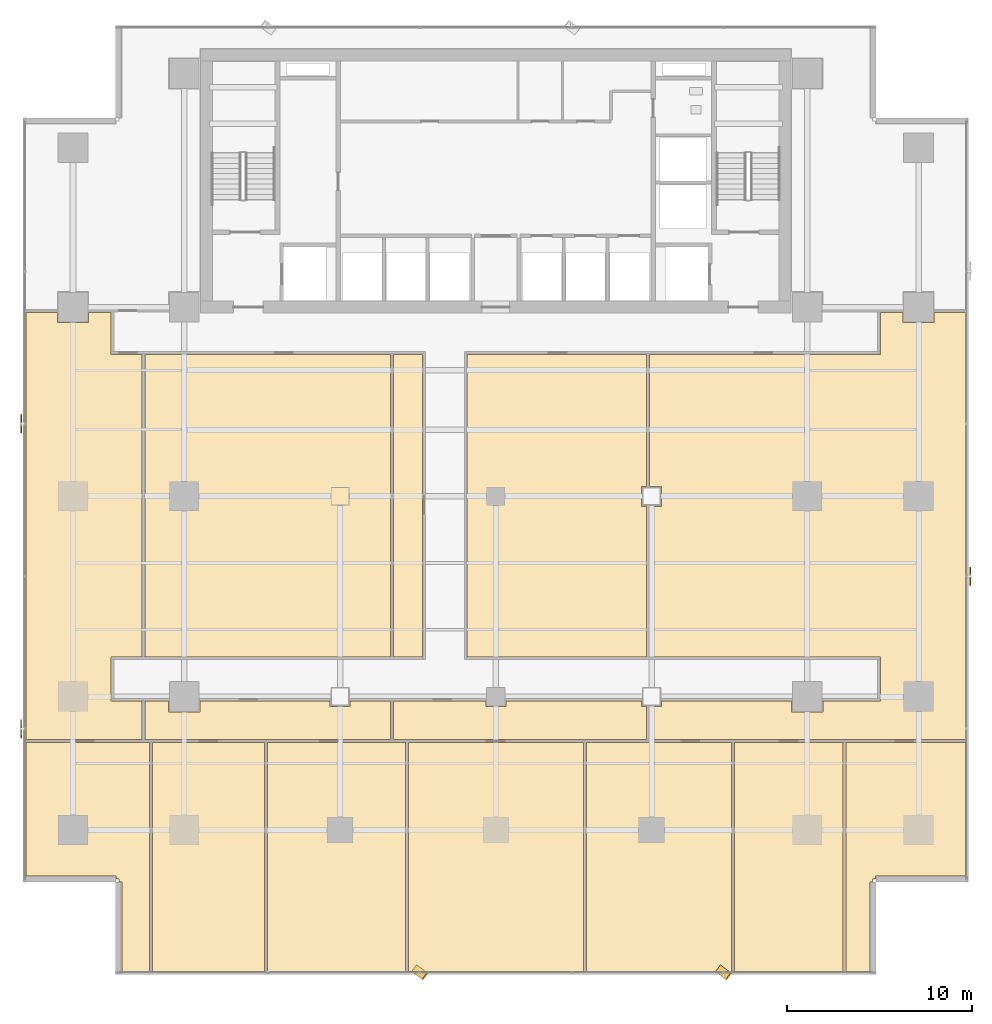
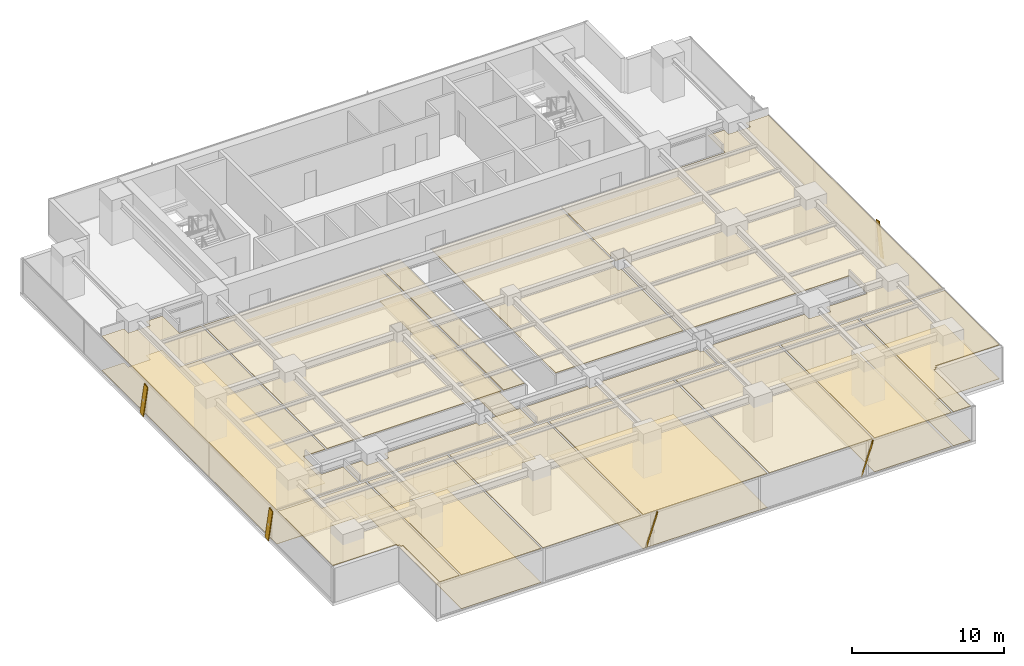
# One storey, part 33 of 37: 21 coverings, 5 shading devices.
"""IFC4 building model written with IfcOpenShell, lengths in metres."""

from ifc_helpers import new_model, si_unit, direction, frame, origin, origin_2d, place, context, subcontext, project, spatial, polyline, rectangle, outline, extrude, source, transform, mapped, material, layer, layer_set, material_profile, profile_set, type_object, element, save


model = new_model("IFC4")

# Units and contexts
model_context = context("Model", 3, precision=1e-05, world=origin(), true_north=direction((0.0, 1.0)))
body_context = subcontext(model_context, "Body", "Model", "MODEL_VIEW")
ifc_project = project(units=[si_unit("LENGTHUNIT", "METRE"), si_unit("AREAUNIT", "SQUARE_METRE"), si_unit("VOLUMEUNIT", "CUBIC_METRE"), si_unit("PLANEANGLEUNIT", "RADIAN"), si_unit("MASSUNIT", "GRAM", prefix="KILO")], contexts=[model_context])

# Site, building, storey
site_placement = place(None, origin())
site = spatial("IfcSite", under=ifc_project, at=site_placement, CompositionType="ELEMENT")
building_placement = place(site_placement, origin())
building = spatial("IfcBuilding", under=site, at=building_placement, Name="Sumidabori Civic Tower", CompositionType="ELEMENT")
storey_placement = place(building_placement, frame((0.0, 0.0, 81.199951171875)))
storey = spatial("IfcBuildingStorey", under=building, at=storey_placement, Name="L20", CompositionType="ELEMENT", Elevation=81.199951171875)

# Coverings
ifc_material_1 = material(Name="Anodised Bronze Baffle Ceiling")
ifc_layer_1 = layer(ifc_material_1, 0.054931640625, Name="Anodised Bronze Baffle Ceiling")
ifc_layer_set_1 = layer_set([ifc_layer_1], Name="Anodised Bronze Baffle Ceiling")
covering_type_1 = type_object("IfcCoveringType", Name="CV-CEIL-AC3", PredefinedType="CEILING", material=ifc_layer_set_1)
covering_1_placement = place(storey_placement, frame((0.0, 0.0, 2.7099609375)))
element("IfcCovering", 1, at=covering_1_placement, inside=storey, type_object=covering_type_1, Name="Room Acoustic Ceiling L20-02", PredefinedType="CEILING", context=body_context, shape_type="SweptSolid", body=[
    extrude(outline(polyline([(-18.919921875, 7.659912109375), (-5.679931640625, 7.659912109375), (-5.679931640625, -8.659912109375), (-18.919921875, -8.659912109375), (-18.919921875, 7.659912109375)])), origin(), (0.0, 0.0, 1.0), 0.05517578125),
])
covering_2_placement = place(storey_placement, frame((0.0, 0.0, 2.7099609375)))
element("IfcCovering", 2, at=covering_2_placement, inside=storey, type_object=covering_type_1, Name="Room Acoustic Ceiling L20-03", PredefinedType="CEILING", context=body_context, shape_type="SweptSolid", body=[
    extrude(outline(polyline([(-5.52001953125, 7.659912109375), (-3.93994140625, 7.659912109375), (-3.93994140625, -8.659912109375), (-5.52001953125, -8.659912109375), (-5.52001953125, 7.659912109375)])), origin(), (0.0, 0.0, 1.0), 0.05517578125),
])
covering_3_placement = place(storey_placement, frame((0.0, 0.0, 2.7099609375)))
element("IfcCovering", 3, at=covering_3_placement, inside=storey, type_object=covering_type_1, Name="Room Acoustic Ceiling L20-04", PredefinedType="CEILING", context=body_context, shape_type="SweptSolid", body=[
    extrude(outline(polyline([(-1.56005859375, -8.659912109375), (-1.56005859375, 7.659912109375), (8.1201171875, 7.659912109375), (8.1201171875, 0.5400390625), (7.860107421875, 0.5400390625), (7.860107421875, -0.5400390625), (8.1201171875, -0.5400390625), (8.1201171875, -8.659912109375), (-1.56005859375, -8.659912109375)])), origin(), (0.0, 0.0, 1.0), 0.05517578125),
])
covering_4_placement = place(storey_placement, frame((0.0, 0.0, 2.7099609375)))
element("IfcCovering", 4, at=covering_4_placement, inside=storey, type_object=covering_type_1, Name="Room Acoustic Ceiling L20-05", PredefinedType="CEILING", context=body_context, shape_type="SweptSolid", body=[
    extrude(outline(polyline([(-25.330078125, -13.1201171875), (-25.330078125, 9.919921875), (-23.639892578125, 9.919921875), (-23.639892578125, 9.360107421875), (-21.9599609375, 9.360107421875), (-21.9599609375, 9.919921875), (-20.739990234375, 9.919921875), (-20.739990234375, 7.659912109375), (-19.080078125, 7.659912109375), (-19.080078125, -8.659912109375), (-20.724609375, -8.659912109375), (-20.739990234375, -8.66748046875), (-20.739990234375, -11.032470703125), (-20.724609375, -11.0400390625), (-19.080078125, -11.0400390625), (-19.080078125, -13.1201171875), (-25.330078125, -13.1201171875)])), origin(), (0.0, 0.0, 1.0), 0.05517578125),
])
covering_5_placement = place(storey_placement, frame((0.0, 0.0, 2.7099609375)))
element("IfcCovering", 5, at=covering_5_placement, inside=storey, type_object=covering_type_1, Name="Room Acoustic Ceiling L20-06", PredefinedType="CEILING", context=body_context, shape_type="SweptSolid", body=[
    extrude(outline(polyline([(8.280029296875, -11.340087890625), (8.93994140625, -11.340087890625), (8.93994140625, -11.0400390625), (15.9599609375, -11.0400390625), (15.9599609375, -11.639892578125), (17.639892578125, -11.639892578125), (17.639892578125, -11.0400390625), (20.724609375, -11.0400390625), (20.739990234375, -11.032470703125), (20.739990234375, -8.66748046875), (20.724609375, -8.659912109375), (8.280029296875, -8.659912109375), (8.280029296875, -0.5400390625), (8.93994140625, -0.5400390625), (8.93994140625, 0.5400390625), (8.280029296875, 0.5400390625), (8.280029296875, 7.659912109375), (20.739990234375, 7.659912109375), (20.739990234375, 9.919921875), (21.9599609375, 9.919921875), (21.9599609375, 9.360107421875), (23.639892578125, 9.360107421875), (23.639892578125, 9.919921875), (25.330078125, 9.919921875), (25.330078125, -13.1201171875), (8.280029296875, -13.1201171875), (8.280029296875, -11.340087890625)])), origin(), (0.0, 0.0, 1.0), 0.05517578125),
])
covering_6_placement = place(storey_placement, frame((0.0, 0.0, 2.7099609375)))
element("IfcCovering", 6, at=covering_6_placement, inside=storey, type_object=covering_type_1, Name="Room Acoustic Ceiling L20-07", PredefinedType="CEILING", context=body_context, shape_type="SweptSolid", body=[
    extrude(outline(polyline([(-17.639892578125, -11.0400390625), (-17.639892578125, -11.639892578125), (-15.9599609375, -11.639892578125), (-15.9599609375, -11.0400390625), (-8.93994140625, -11.0400390625), (-8.93994140625, -11.340087890625), (-7.860107421875, -11.340087890625), (-7.860107421875, -11.0400390625), (-5.679931640625, -11.0400390625), (-5.679931640625, -13.1201171875), (-18.919921875, -13.1201171875), (-18.919921875, -11.0400390625), (-17.639892578125, -11.0400390625)])), origin(), (0.0, 0.0, 1.0), 0.05517578125),
])
covering_7_placement = place(storey_placement, frame((0.0, 0.0, 2.7099609375)))
element("IfcCovering", 7, at=covering_7_placement, inside=storey, type_object=covering_type_1, Name="Room Acoustic Ceiling L20-08", PredefinedType="CEILING", context=body_context, shape_type="SweptSolid", body=[
    extrude(outline(polyline([(-5.52001953125, -11.0400390625), (-0.5400390625, -11.0400390625), (-0.5400390625, -11.340087890625), (0.5400390625, -11.340087890625), (0.5400390625, -11.0400390625), (7.860107421875, -11.0400390625), (7.860107421875, -11.340087890625), (8.1201171875, -11.340087890625), (8.1201171875, -13.1201171875), (-5.52001953125, -13.1201171875), (-5.52001953125, -11.0400390625)])), origin(), (0.0, 0.0, 1.0), 0.05517578125),
])
covering_8_placement = place(storey_placement, frame((0.0, 0.0, 2.7099609375)))
element("IfcCovering", 8, at=covering_8_placement, inside=storey, type_object=covering_type_1, Name="Room Acoustic Ceiling L20-09", PredefinedType="CEILING", context=body_context, shape_type="SweptSolid", body=[
    extrude(outline(polyline([(18.8798828125, -13.280029296875), (25.330078125, -13.280029296875), (25.330078125, -20.471923828125), (20.491943359375, -20.471923828125), (20.491943359375, -20.6298828125), (20.330078125, -20.6298828125), (20.330078125, -20.7919921875), (20.172119140625, -20.7919921875), (20.172119140625, -25.6298828125), (18.8798828125, -25.6298828125), (18.8798828125, -13.280029296875)])), origin(), (0.0, 0.0, 1.0), 0.05517578125),
])
covering_9_placement = place(storey_placement, frame((0.0, 0.0, 2.7099609375)))
element("IfcCovering", 9, at=covering_9_placement, inside=storey, type_object=covering_type_1, Name="Room Acoustic Ceiling L20-10", PredefinedType="CEILING", context=body_context, shape_type="SweptSolid", body=[
    extrude(outline(polyline([(-18.679931640625, -13.280029296875), (-18.679931640625, -25.6298828125), (-20.172119140625, -25.6298828125), (-20.172119140625, -20.7919921875), (-20.330078125, -20.7919921875), (-20.330078125, -20.6298828125), (-20.491943359375, -20.6298828125), (-20.491943359375, -20.471923828125), (-25.330078125, -20.471923828125), (-25.330078125, -13.280029296875), (-18.679931640625, -13.280029296875)])), origin(), (0.0, 0.0, 1.0), 0.05517578125),
])
covering_10_placement = place(storey_placement, frame((0.0, 0.0, 2.7099609375)))
element("IfcCovering", 10, at=covering_10_placement, inside=storey, type_object=covering_type_1, Name="Room Acoustic Ceiling L20-11", PredefinedType="CEILING", context=body_context, shape_type="SweptSolid", body=[
    extrude(outline(polyline([(-18.52001953125, -13.280029296875), (-12.47998046875, -13.280029296875), (-12.47998046875, -25.6298828125), (-18.52001953125, -25.6298828125), (-18.52001953125, -13.280029296875)])), origin(), (0.0, 0.0, 1.0), 0.05517578125),
])
covering_11_placement = place(storey_placement, frame((0.0, 0.0, 2.7099609375)))
element("IfcCovering", 11, at=covering_11_placement, inside=storey, type_object=covering_type_1, Name="Room Acoustic Ceiling L20-12", PredefinedType="CEILING", context=body_context, shape_type="SweptSolid", body=[
    extrude(outline(polyline([(-12.320068359375, -13.280029296875), (-4.8798828125, -13.280029296875), (-4.8798828125, -25.6298828125), (-12.320068359375, -25.6298828125), (-12.320068359375, -13.280029296875)])), origin(), (0.0, 0.0, 1.0), 0.05517578125),
])
covering_12_placement = place(storey_placement, frame((0.0, 0.0, 2.7099609375)))
element("IfcCovering", 12, at=covering_12_placement, inside=storey, type_object=covering_type_1, Name="Room Acoustic Ceiling L20-13", PredefinedType="CEILING", context=body_context, shape_type="SweptSolid", body=[
    extrude(outline(polyline([(-4.719970703125, -13.280029296875), (4.719970703125, -13.280029296875), (4.719970703125, -25.6298828125), (-4.719970703125, -25.6298828125), (-4.719970703125, -13.280029296875)])), origin(), (0.0, 0.0, 1.0), 0.05517578125),
])
covering_13_placement = place(storey_placement, frame((0.0, 0.0, 2.7099609375)))
element("IfcCovering", 13, at=covering_13_placement, inside=storey, type_object=covering_type_1, Name="Room Acoustic Ceiling L20-14", PredefinedType="CEILING", context=body_context, shape_type="SweptSolid", body=[
    extrude(outline(polyline([(4.8798828125, -13.280029296875), (12.719970703125, -13.280029296875), (12.719970703125, -25.6298828125), (4.8798828125, -25.6298828125), (4.8798828125, -13.280029296875)])), origin(), (0.0, 0.0, 1.0), 0.05517578125),
])
covering_14_placement = place(storey_placement, frame((0.0, 0.0, 2.7099609375)))
element("IfcCovering", 14, at=covering_14_placement, inside=storey, type_object=covering_type_1, Name="Room Acoustic Ceiling L20-15", PredefinedType="CEILING", context=body_context, shape_type="SweptSolid", body=[
    extrude(outline(polyline([(12.8798828125, -13.280029296875), (18.719970703125, -13.280029296875), (18.719970703125, -25.6298828125), (12.8798828125, -25.6298828125), (12.8798828125, -13.280029296875)])), origin(), (0.0, 0.0, 1.0), 0.05517578125),
])
ifc_material_2 = material(Name="Honed Terrazzo Tile Flooring")
ifc_layer_2 = layer(ifc_material_2, 0.030029296875, Name="Honed Terrazzo Tile Flooring")
ifc_layer_set_2 = layer_set([ifc_layer_2], Name="Honed Terrazzo Tile Flooring")
covering_type_2 = type_object("IfcCoveringType", Name="CV-FLR-TER", PredefinedType="FLOORING", material=ifc_layer_set_2)
covering_15_placement = place(storey_placement, origin())
element("IfcCovering", 15, at=covering_15_placement, inside=storey, type_object=covering_type_2, Name="Room Terrazzo Floor L20-03", PredefinedType="FLOORING", context=body_context, shape_type="SweptSolid", body=[
    extrude(outline(polyline([(-5.52001953125, 7.659912109375), (-3.93994140625, 7.659912109375), (-3.93994140625, -8.659912109375), (-5.52001953125, -8.659912109375), (-5.52001953125, 7.659912109375)])), origin(), (0.0, 0.0, 1.0), 0.030029296875),
])
covering_16_placement = place(storey_placement, origin())
element("IfcCovering", 16, at=covering_16_placement, inside=storey, type_object=covering_type_2, Name="Room Terrazzo Floor L20-05", PredefinedType="FLOORING", context=body_context, shape_type="SweptSolid", body=[
    extrude(outline(polyline([(-25.330078125, -13.1201171875), (-25.330078125, 9.919921875), (-23.639892578125, 9.919921875), (-23.639892578125, 9.360107421875), (-21.9599609375, 9.360107421875), (-21.9599609375, 9.919921875), (-20.739990234375, 9.919921875), (-20.739990234375, 7.659912109375), (-19.080078125, 7.659912109375), (-19.080078125, -8.659912109375), (-20.724609375, -8.659912109375), (-20.739990234375, -8.66748046875), (-20.739990234375, -11.032470703125), (-20.724609375, -11.0400390625), (-19.080078125, -11.0400390625), (-19.080078125, -13.1201171875), (-25.330078125, -13.1201171875)])), origin(), (0.0, 0.0, 1.0), 0.030029296875),
])
covering_17_placement = place(storey_placement, origin())
element("IfcCovering", 17, at=covering_17_placement, inside=storey, type_object=covering_type_2, Name="Room Terrazzo Floor L20-07", PredefinedType="FLOORING", context=body_context, shape_type="SweptSolid", body=[
    extrude(outline(polyline([(-17.639892578125, -11.0400390625), (-17.639892578125, -11.639892578125), (-15.9599609375, -11.639892578125), (-15.9599609375, -11.0400390625), (-8.93994140625, -11.0400390625), (-8.93994140625, -11.340087890625), (-7.860107421875, -11.340087890625), (-7.860107421875, -11.0400390625), (-5.679931640625, -11.0400390625), (-5.679931640625, -13.1201171875), (-18.919921875, -13.1201171875), (-18.919921875, -11.0400390625), (-17.639892578125, -11.0400390625)])), origin(), (0.0, 0.0, 1.0), 0.030029296875),
])
covering_18_placement = place(storey_placement, origin())
element("IfcCovering", 18, at=covering_18_placement, inside=storey, type_object=covering_type_2, Name="Room Terrazzo Floor L20-09", PredefinedType="FLOORING", context=body_context, shape_type="SweptSolid", body=[
    extrude(outline(polyline([(18.8798828125, -13.280029296875), (25.330078125, -13.280029296875), (25.330078125, -20.471923828125), (20.491943359375, -20.471923828125), (20.491943359375, -20.6298828125), (20.330078125, -20.6298828125), (20.330078125, -20.7919921875), (20.172119140625, -20.7919921875), (20.172119140625, -25.6298828125), (18.8798828125, -25.6298828125), (18.8798828125, -13.280029296875)])), origin(), (0.0, 0.0, 1.0), 0.030029296875),
])
covering_19_placement = place(storey_placement, origin())
element("IfcCovering", 19, at=covering_19_placement, inside=storey, type_object=covering_type_2, Name="Room Terrazzo Floor L20-11", PredefinedType="FLOORING", context=body_context, shape_type="SweptSolid", body=[
    extrude(outline(polyline([(-18.52001953125, -13.280029296875), (-12.47998046875, -13.280029296875), (-12.47998046875, -25.6298828125), (-18.52001953125, -25.6298828125), (-18.52001953125, -13.280029296875)])), origin(), (0.0, 0.0, 1.0), 0.030029296875),
])
covering_20_placement = place(storey_placement, origin())
element("IfcCovering", 20, at=covering_20_placement, inside=storey, type_object=covering_type_2, Name="Room Terrazzo Floor L20-13", PredefinedType="FLOORING", context=body_context, shape_type="SweptSolid", body=[
    extrude(outline(polyline([(-4.719970703125, -13.280029296875), (4.719970703125, -13.280029296875), (4.719970703125, -25.6298828125), (-4.719970703125, -25.6298828125), (-4.719970703125, -13.280029296875)])), origin(), (0.0, 0.0, 1.0), 0.030029296875),
])
covering_21_placement = place(storey_placement, origin())
element("IfcCovering", 21, at=covering_21_placement, inside=storey, type_object=covering_type_2, Name="Room Terrazzo Floor L20-15", PredefinedType="FLOORING", context=body_context, shape_type="SweptSolid", body=[
    extrude(outline(polyline([(12.8798828125, -13.280029296875), (18.719970703125, -13.280029296875), (18.719970703125, -25.6298828125), (12.8798828125, -25.6298828125), (12.8798828125, -13.280029296875)])), origin(), (0.0, 0.0, 1.0), 0.030029296875),
])

# Shading devices
ifc_material_3 = material(Name="Anodised Bronze Aluminium AW-6063-T6", Category="aluminium")
ifc_material_profile = material_profile(ifc_material_3, rectangle(XDim=0.06005859375, YDim=0.449951171875, at=origin_2d()), Name="BRONZE FIN 450x60")
ifc_profile_set = profile_set([ifc_material_profile], Name="Anodised Bronze Aluminium AW-6063-T6")
shading_device_type = type_object("IfcShadingDeviceType", Name="SH-FIN-450", PredefinedType="USERDEFINED", material=ifc_profile_set)
shared_shape_1 = source(origin(), body_context, "Body", "SweptSolid", [
    extrude(rectangle(XDim=0.06005859375, YDim=0.449951171875, at=origin_2d()), origin(), (0.0, 0.0, 1.0), 2.769775390625),
])
for number, where, z_axis, x_axis, name in (
    (22, (-4.3740234375, -25.469970703125, 0.02001953125), (0.202198633998, -0.151604904305, 0.967538973582), (0.774112159528, -0.58041539424, -0.252721852241), "Bronze Anodised Diagonal Fin L20-02"),
    (23, (12.001953125, -25.469970703125, 0.02001953125), (0.202198633998, -0.151604904305, 0.967538973582), (0.774112159528, -0.58041539424, -0.252721852241), "Bronze Anodised Diagonal Fin L20-04"),
):
    element("IfcShadingDevice", number, at=place(storey_placement, frame(where, z_axis=z_axis, x_axis=x_axis)), inside=storey, type_object=shading_device_type, Name=name, ObjectType="FIN", PredefinedType="USERDEFINED", context=body_context, shape_type="MappedRepresentation", body=[
        mapped(shared_shape_1, transform((0.0, 0.0, 0.0), x_axis=(1.0, 0.0, 0.0), y_axis=(0.0, 1.0, 0.0), z_axis=(0.0, 0.0, 1.0), scale=1.0)),
    ])
shared_shape_2 = source(origin(), body_context, "Body", "SweptSolid", [
    extrude(rectangle(XDim=0.06005859375, YDim=0.449951171875, at=origin_2d()), origin(), (0.0, 0.0, 1.0), 2.73779296875),
])
for number, where, z_axis, x_axis, name in (
    (24, (25.590087890625, -4.593994140625, 0.02001953125), (0.0, 0.204563143937, 0.978853370093), (-1.0, 0.0, 0.0), "Bronze Anodised Diagonal Fin L20-02"),
    (25, (-25.590087890625, 4.194091796875, 0.02001953125), (0.0, -0.204563143937, 0.978853370093), (-1.0, 0.0, 0.0), "Bronze Anodised Diagonal Fin L20-02"),
    (26, (-25.590087890625, -12.261962890625, 0.02001953125), (0.0, -0.204563143937, 0.978853370093), (-1.0, 0.0, 0.0), "Bronze Anodised Diagonal Fin L20-04"),
):
    element("IfcShadingDevice", number, at=place(storey_placement, frame(where, z_axis=z_axis, x_axis=x_axis)), inside=storey, type_object=shading_device_type, Name=name, ObjectType="FIN", PredefinedType="USERDEFINED", context=body_context, shape_type="MappedRepresentation", body=[
        mapped(shared_shape_2, transform((0.0, 0.0, 0.0), x_axis=(1.0, 0.0, 0.0), y_axis=(0.0, 1.0, 0.0), z_axis=(0.0, 0.0, 1.0), scale=1.0)),
    ])

save(model, "model.ifc")
